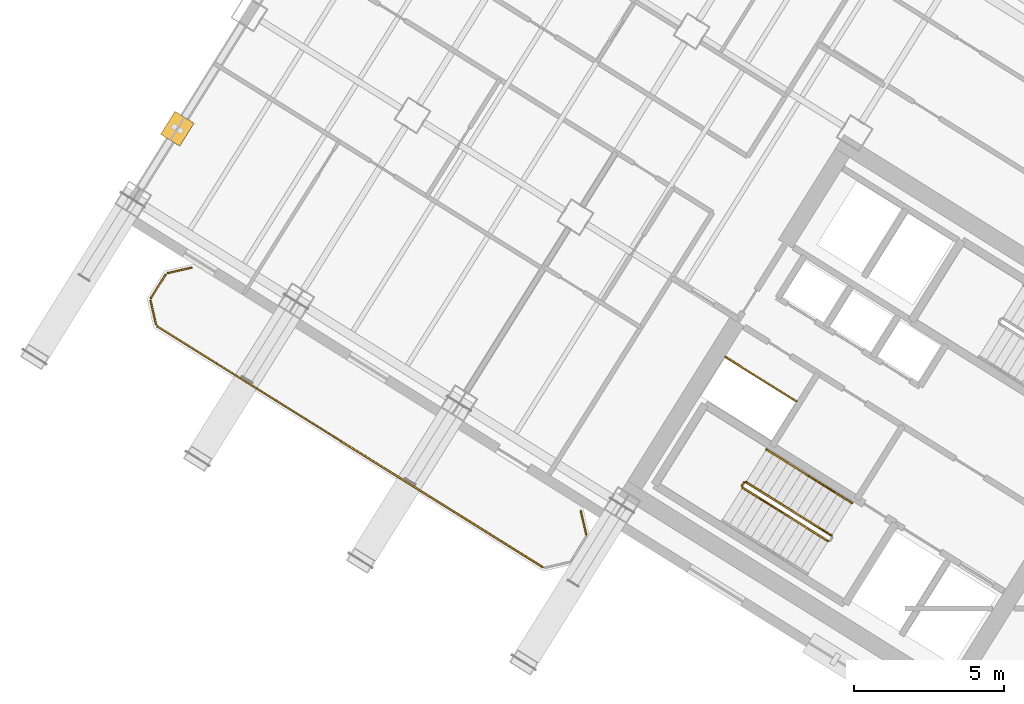
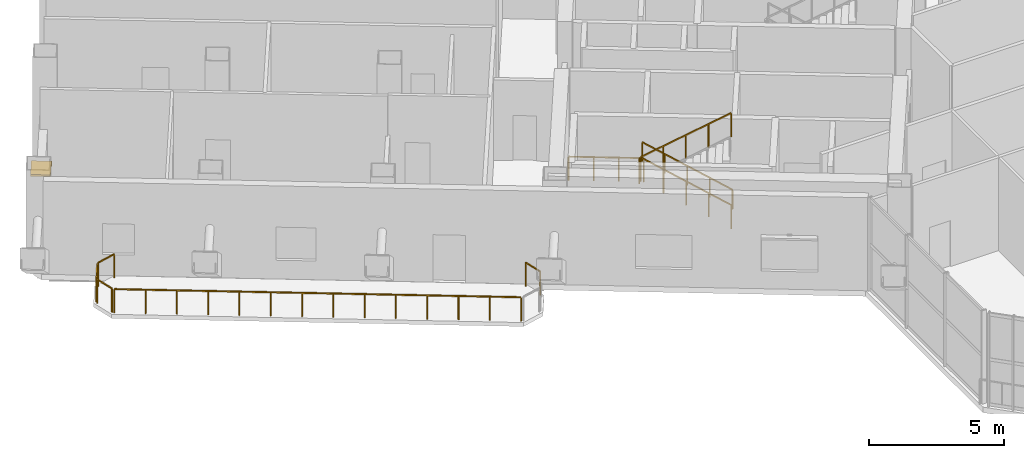
# One storey, part 28 of 32: 11 railings, 1 shading device.
"""IFC4 building model written with IfcOpenShell, lengths in metres."""

from ifc_helpers import new_model, si_unit, direction, frame, origin, origin_2d, place, context, subcontext, project, spatial, rectangle, extrude, source, transform, mapped, material, layer, layer_set, type_object, element, save


model = new_model("IFC4")

# Units and contexts
model_context = context("Model", 3, precision=1e-05, world=origin(), true_north=direction((0.0, 1.0)))
body_context = subcontext(model_context, "Body", "Model", "MODEL_VIEW")
ifc_project = project(units=[si_unit("LENGTHUNIT", "METRE"), si_unit("AREAUNIT", "SQUARE_METRE"), si_unit("VOLUMEUNIT", "CUBIC_METRE"), si_unit("PLANEANGLEUNIT", "RADIAN"), si_unit("MASSUNIT", "GRAM", prefix="KILO")], contexts=[model_context])

# Site, building, storey
site_placement = place(None, origin())
site = spatial("IfcSite", under=ifc_project, at=site_placement, CompositionType="ELEMENT")
building_placement = place(site_placement, origin())
building = spatial("IfcBuilding", under=site, at=building_placement, Name="Tlacorven Tower", CompositionType="ELEMENT")
storey_placement = place(building_placement, frame((0.0, 0.0, 123.300048828125)))
storey = spatial("IfcBuildingStorey", under=building, at=storey_placement, Name="L31", CompositionType="ELEMENT", Elevation=123.300048828125)

# Railings
ifc_material_1 = material(Name="Aluminium and painted steel balustrade", Category="steel")
railing_type_1 = type_object("IfcRailingType", Name="RL-GRD-1100", PredefinedType="GUARDRAIL", material=ifc_material_1)
shared_shape_1 = source(origin(), body_context, "Body", "SweptSolid", [
    extrude(rectangle(XDim=0.048095703125, YDim=0.048095703125, at=origin_2d()), frame((0.0, 0.0, 1.076171875), z_axis=(-0.848091358275, 0.529850024081, 0.0), x_axis=(-0.529850024081, -0.848091358275, 0.0)), (0.0, 0.0, 1.0), 2.800048828125),
    extrude(rectangle(XDim=0.0419921875, YDim=0.0419921875, at=origin_2d()), origin(), (0.0, 0.0, 1.0), 1.052001953125),
    extrude(rectangle(XDim=0.0419921875, YDim=0.0419921875, at=origin_2d()), frame((-0.79150390625, 0.49462890625, 0.0)), (0.0, 0.0, 1.0), 1.052001953125),
    extrude(rectangle(XDim=0.0419921875, YDim=0.0419921875, at=origin_2d()), frame((-1.583251953125, 0.989013671875, 0.0)), (0.0, 0.0, 1.0), 1.052001953125),
    extrude(rectangle(XDim=0.0419921875, YDim=0.0419921875, at=origin_2d()), frame((-2.374755859375, 1.483642578125, 0.0)), (0.0, 0.0, 1.0), 1.052001953125),
])
railing_1_placement = place(storey_placement, frame((27.9912109375, 22.32080078125, 0.0)))
element("IfcRailing", 1, at=railing_1_placement, inside=storey, type_object=railing_type_1, Name="L31 Electrical Riser W Shaft Guard 1", PredefinedType="GUARDRAIL", context=body_context, shape_type="MappedRepresentation", body=[
    mapped(shared_shape_1, transform((0.0, 0.0, 0.0), scale=1.0)),
])
railing_type_2 = type_object("IfcRailingType", Name="RL-BAL-1100", PredefinedType="BALUSTRADE", material=ifc_material_1)
shared_shape_2 = source(origin(), body_context, "Body", "SweptSolid", [
    extrude(rectangle(XDim=0.048095703125, YDim=0.048095703125, at=origin_2d()), frame((0.0, 0.0, 1.076171875), z_axis=(0.225058334816, -0.974345290916, 0.0), x_axis=(0.974345290916, 0.225058334816, 0.0)), (0.0, 0.0, 1.0), 0.80712890625),
    extrude(rectangle(XDim=0.0419921875, YDim=0.0419921875, at=origin_2d()), origin(), (0.0, 0.0, 1.0), 1.052001953125),
    extrude(rectangle(XDim=0.0419921875, YDim=0.0419921875, at=origin_2d()), frame((0.181640625, -0.786376953125, 0.0)), (0.0, 0.0, 1.0), 1.052001953125),
])
railing_2_placement = place(storey_placement, frame((20.809814453125, 18.671142578125, 0.0)))
element("IfcRailing", 2, at=railing_2_placement, inside=storey, type_object=railing_type_2, Name="BAL-L31-W-OUT Guard Railing 1", PredefinedType="BALUSTRADE", context=body_context, shape_type="MappedRepresentation", body=[
    mapped(shared_shape_2, transform((0.0, 0.0, 0.0), scale=1.0)),
])
shared_shape_3 = source(origin(), body_context, "Body", "SweptSolid", [
    extrude(rectangle(XDim=0.048095703125, YDim=0.048095703125, at=origin_2d()), frame((0.0, 0.0, 1.076171875), z_axis=(-0.225058334816, 0.974345290916, 0.0), x_axis=(-0.974345290916, -0.225058334816, 0.0)), (0.0, 0.0, 1.0), 0.80712890625),
    extrude(rectangle(XDim=0.0419921875, YDim=0.0419921875, at=origin_2d()), origin(), (0.0, 0.0, 1.0), 1.052001953125),
    extrude(rectangle(XDim=0.0419921875, YDim=0.0419921875, at=origin_2d()), frame((-0.181640625, 0.786376953125, 0.0)), (0.0, 0.0, 1.0), 1.052001953125),
])
railing_3_placement = place(storey_placement, frame((6.66650390625, 24.88623046875, 0.0)))
element("IfcRailing", 3, at=railing_3_placement, inside=storey, type_object=railing_type_2, Name="BAL-L31-W-OUT Guard Railing 5", PredefinedType="BALUSTRADE", context=body_context, shape_type="MappedRepresentation", body=[
    mapped(shared_shape_3, transform((0.0, 0.0, 0.0), scale=1.0)),
])
shared_shape_4 = source(origin(), body_context, "Body", "SweptSolid", [
    extrude(rectangle(XDim=0.048095703125, YDim=0.048095703125, at=origin_2d()), frame((0.0, 0.0, 1.076171875), z_axis=(0.974411586182, 0.224771129628, 0.0), x_axis=(-0.224771129628, 0.974411586182, 0.0)), (0.0, 0.0, 1.0), 0.80712890625),
    extrude(rectangle(XDim=0.0419921875, YDim=0.0419921875, at=origin_2d()), origin(), (0.0, 0.0, 1.0), 1.052001953125),
    extrude(rectangle(XDim=0.0419921875, YDim=0.0419921875, at=origin_2d()), frame((0.786376953125, 0.181396484375, 0.0)), (0.0, 0.0, 1.0), 1.052001953125),
])
railing_4_placement = place(storey_placement, frame((7.05859375, 26.591064453125, 0.0)))
element("IfcRailing", 4, at=railing_4_placement, inside=storey, type_object=railing_type_2, Name="BAL-L31-W-OUT Guard Railing 7", PredefinedType="BALUSTRADE", context=body_context, shape_type="MappedRepresentation", body=[
    mapped(shared_shape_4, transform((0.0, 0.0, 0.0), scale=1.0)),
])

# Shading device
ifc_material_2 = material(Name="Anodised bronze aluminium sunshade", Category="aluminium")
ifc_layer = layer(ifc_material_2, 0.080078125)
ifc_layer_set = layer_set([ifc_layer], Name="Anodised bronze aluminium sunshade")
shading_device_type = type_object("IfcShadingDeviceType", Name="SH-SUN-BRZ", PredefinedType="AWNING", material=ifc_layer_set)
shared_shape_5 = source(origin(), body_context, "Body", "SweptSolid", [
    extrude(rectangle(XDim=0.89990234375, YDim=0.75, at=origin_2d()), origin(), (0.0, 0.0, 1.0), 0.080078125),
])
shading_device_placement = place(storey_placement, frame((7.379150390625, 31.397705078125, 2.27001953125), z_axis=(0.0, 0.0, 1.0), x_axis=(0.529919147866, 0.848048168871, 0.0)))
element("IfcShadingDevice", 5, at=shading_device_placement, inside=storey, type_object=shading_device_type, Name="L31 Solar Brise-Soleil Sunshade L31-02.1", PredefinedType="AWNING", context=body_context, shape_type="MappedRepresentation", body=[
    mapped(shared_shape_5, transform((0.0, 0.0, 0.0), scale=1.0)),
])

# Railings
shared_shape_6 = source(origin(), body_context, "Body", "SweptSolid", [
    extrude(rectangle(XDim=0.048095703125, YDim=0.048095703125, at=origin_2d()), frame((0.0, 0.0, 1.076171875), z_axis=(0.529998940003, 0.847998304005, 0.0), x_axis=(-0.847998304005, 0.529998940003, 0.0)), (0.0, 0.0, 1.0), 0.912109375),
    extrude(rectangle(XDim=0.0419921875, YDim=0.0419921875, at=origin_2d()), origin(), (0.0, 0.0, 1.0), 1.052001953125),
    extrude(rectangle(XDim=0.0419921875, YDim=0.0419921875, at=origin_2d()), frame((0.4833984375, 0.7734375, 0.0)), (0.0, 0.0, 1.0), 1.052001953125),
])
railing_5_placement = place(storey_placement, frame((6.5, 25.763916015625, 0.0)))
element("IfcRailing", 6, at=railing_5_placement, inside=storey, type_object=railing_type_2, Name="BAL-L31-W-OUT Guard Railing 6", PredefinedType="BALUSTRADE", context=body_context, shape_type="MappedRepresentation", body=[
    mapped(shared_shape_6, transform((0.0, 0.0, 0.0), scale=1.0)),
])
shared_shape_7 = source(origin(), body_context, "Body", "SweptSolid", [
    extrude(rectangle(XDim=0.048095703125, YDim=0.048095703125, at=origin_2d()), frame((0.0, 0.0, 1.076171875), z_axis=(-0.848051830527, 0.529913287944, 0.0), x_axis=(-0.529913287944, -0.848051830527, 0.0)), (0.0, 0.0, 1.0), 15.1171875),
    extrude(rectangle(XDim=0.0419921875, YDim=0.0419921875, at=origin_2d()), origin(), (0.0, 0.0, 1.0), 1.052001953125),
    extrude(rectangle(XDim=0.0419921875, YDim=0.0419921875, at=origin_2d()), frame((-0.986083984375, 0.6162109375, 0.0)), (0.0, 0.0, 1.0), 1.052001953125),
    extrude(rectangle(XDim=0.0419921875, YDim=0.0419921875, at=origin_2d()), frame((-1.972412109375, 1.232421875, 0.0)), (0.0, 0.0, 1.0), 1.052001953125),
    extrude(rectangle(XDim=0.0419921875, YDim=0.0419921875, at=origin_2d()), frame((-2.95849609375, 1.8486328125, 0.0)), (0.0, 0.0, 1.0), 1.052001953125),
    extrude(rectangle(XDim=0.0419921875, YDim=0.0419921875, at=origin_2d()), frame((-3.944580078125, 2.46484375, 0.0)), (0.0, 0.0, 1.0), 1.052001953125),
    extrude(rectangle(XDim=0.0419921875, YDim=0.0419921875, at=origin_2d()), frame((-4.930908203125, 3.0810546875, 0.0)), (0.0, 0.0, 1.0), 1.052001953125),
    extrude(rectangle(XDim=0.0419921875, YDim=0.0419921875, at=origin_2d()), frame((-5.9169921875, 3.697265625, 0.0)), (0.0, 0.0, 1.0), 1.052001953125),
    extrude(rectangle(XDim=0.0419921875, YDim=0.0419921875, at=origin_2d()), frame((-6.903076171875, 4.3134765625, 0.0)), (0.0, 0.0, 1.0), 1.052001953125),
    extrude(rectangle(XDim=0.0419921875, YDim=0.0419921875, at=origin_2d()), frame((-7.88916015625, 4.9296875, 0.0)), (0.0, 0.0, 1.0), 1.052001953125),
    extrude(rectangle(XDim=0.0419921875, YDim=0.0419921875, at=origin_2d()), frame((-8.87548828125, 5.5458984375, 0.0)), (0.0, 0.0, 1.0), 1.052001953125),
    extrude(rectangle(XDim=0.0419921875, YDim=0.0419921875, at=origin_2d()), frame((-9.861572265625, 6.162109375, 0.0)), (0.0, 0.0, 1.0), 1.052001953125),
    extrude(rectangle(XDim=0.0419921875, YDim=0.0419921875, at=origin_2d()), frame((-10.84765625, 6.7783203125, 0.0)), (0.0, 0.0, 1.0), 1.052001953125),
    extrude(rectangle(XDim=0.0419921875, YDim=0.0419921875, at=origin_2d()), frame((-11.833984375, 7.39453125, 0.0)), (0.0, 0.0, 1.0), 1.052001953125),
    extrude(rectangle(XDim=0.0419921875, YDim=0.0419921875, at=origin_2d()), frame((-12.820068359375, 8.0107421875, 0.0)), (0.0, 0.0, 1.0), 1.052001953125),
])
railing_6_placement = place(storey_placement, frame((19.5400390625, 16.80029296875, 0.0)))
element("IfcRailing", 7, at=railing_6_placement, inside=storey, type_object=railing_type_2, Name="BAL-L31-W-OUT Guard Railing 4", PredefinedType="BALUSTRADE", context=body_context, shape_type="MappedRepresentation", body=[
    mapped(shared_shape_7, transform((0.0, 0.0, 0.0), scale=1.0)),
])
shared_shape_8 = source(origin(), body_context, "Body", "SweptSolid", [
    extrude(rectangle(XDim=0.048095703125, YDim=0.048095703125, at=origin_2d()), frame((0.0, 0.0, 1.076171875), z_axis=(-0.530546985787, -0.847655529016, 0.0), x_axis=(0.847655529016, -0.530546985787, 0.0)), (0.0, 0.0, 1.0), 0.1201171875),
    extrude(rectangle(XDim=0.0419921875, YDim=0.0419921875, at=origin_2d()), origin(), (0.0, 0.0, 1.0), 1.052001953125),
    extrude(rectangle(XDim=0.0419921875, YDim=0.0419921875, at=origin_2d()), frame((-0.063720703125, -0.101806640625, 0.0)), (0.0, 0.0, 1.0), 1.052001953125),
])
railing_7_placement = place(storey_placement, frame((26.242431640625, 19.616455078125, 2.25)))
element("IfcRailing", 8, at=railing_7_placement, inside=storey, type_object=railing_type_1, Name="L31 ST-W1 stair guard 2", PredefinedType="GUARDRAIL", context=body_context, shape_type="MappedRepresentation", body=[
    mapped(shared_shape_8, transform((0.0, 0.0, 0.0), scale=1.0)),
])
shared_shape_9 = source(origin(), body_context, "Body", "SweptSolid", [
    extrude(rectangle(XDim=0.048095703125, YDim=0.048095703125, at=origin_2d()), frame((0.0, 0.0, 1.076171875), z_axis=(-0.721354668439, 0.45076168254, 0.525795918465), x_axis=(-0.529927092104, -0.84804320471, 0.0)), (0.0, 0.0, 1.0), 3.949951171875),
    extrude(rectangle(XDim=0.0419921875, YDim=0.0419921875, at=origin_2d()), origin(), (0.0, 0.0, 1.0), 1.052001953125),
    extrude(rectangle(XDim=0.0419921875, YDim=0.0419921875, at=origin_2d()), frame((-0.71240234375, 0.445068359375, 0.519287109375)), (0.0, 0.0, 1.0), 1.052001953125),
    extrude(rectangle(XDim=0.0419921875, YDim=0.0419921875, at=origin_2d()), frame((-1.4248046875, 0.89013671875, 1.03857421875)), (0.0, 0.0, 1.0), 1.052001953125),
    extrude(rectangle(XDim=0.0419921875, YDim=0.0419921875, at=origin_2d()), frame((-2.136962890625, 1.33544921875, 1.5576171875)), (0.0, 0.0, 1.0), 1.052001953125),
    extrude(rectangle(XDim=0.0419921875, YDim=0.0419921875, at=origin_2d()), frame((-2.849365234375, 1.780517578125, 2.076904296875)), (0.0, 0.0, 1.0), 1.052001953125),
])
railing_8_placement = place(storey_placement, frame((29.16064453125, 17.851806640625, 0.173095703125)))
element("IfcRailing", 9, at=railing_8_placement, inside=storey, type_object=railing_type_1, Name="L31 ST-W1 stair guard 1", PredefinedType="GUARDRAIL", context=body_context, shape_type="MappedRepresentation", body=[
    mapped(shared_shape_9, transform((0.0, 0.0, 0.0), scale=1.0)),
])
shared_shape_10 = source(origin(), body_context, "Body", "SweptSolid", [
    extrude(rectangle(XDim=0.048095703125, YDim=0.048095703125, at=origin_2d()), frame((0.0, 0.0, 1.076171875), z_axis=(0.721384312238, -0.450741585774, 0.525772476372), x_axis=(0.52989443915, 0.848063608085, 0.0)), (0.0, 0.0, 1.0), 3.9501953125),
    extrude(rectangle(XDim=0.0419921875, YDim=0.0419921875, at=origin_2d()), origin(), (0.0, 0.0, 1.0), 1.052001953125),
    extrude(rectangle(XDim=0.0419921875, YDim=0.0419921875, at=origin_2d()), frame((0.71240234375, -0.445068359375, 0.519287109375)), (0.0, 0.0, 1.0), 1.052001953125),
    extrude(rectangle(XDim=0.0419921875, YDim=0.0419921875, at=origin_2d()), frame((1.4248046875, -0.89013671875, 1.03857421875)), (0.0, 0.0, 1.0), 1.052001953125),
    extrude(rectangle(XDim=0.0419921875, YDim=0.0419921875, at=origin_2d()), frame((2.13720703125, -1.33544921875, 1.5576171875)), (0.0, 0.0, 1.0), 1.052001953125),
    extrude(rectangle(XDim=0.0419921875, YDim=0.0419921875, at=origin_2d()), frame((2.849609375, -1.780517578125, 2.076904296875)), (0.0, 0.0, 1.0), 1.052001953125),
])
railing_9_placement = place(storey_placement, frame((26.194580078125, 19.44580078125, 2.423095703125)))
element("IfcRailing", 10, at=railing_9_placement, inside=storey, type_object=railing_type_1, Name="L31 ST-W1 stair guard 3", PredefinedType="GUARDRAIL", context=body_context, shape_type="MappedRepresentation", body=[
    mapped(shared_shape_10, transform((0.0, 0.0, 0.0), scale=1.0)),
])
railing_type_3 = type_object("IfcRailingType", Name="RL-HND-0900", PredefinedType="HANDRAIL", material=ifc_material_1)
shared_shape_11 = source(origin(), body_context, "Body", "SweptSolid", [
    extrude(rectangle(XDim=0.048095703125, YDim=0.048095703125, at=origin_2d()), frame((0.0, 0.0, 0.8759765625), z_axis=(-0.721387654753, 0.450805479247, 0.525713107551), x_axis=(-0.529946692594, -0.848030956397, 0.0)), (0.0, 0.0, 1.0), 1.97509765625),
    extrude(rectangle(XDim=0.0419921875, YDim=0.0419921875, at=origin_2d()), origin(), (0.0, 0.0, 1.0), 0.851806640625),
    extrude(rectangle(XDim=0.0419921875, YDim=0.0419921875, at=origin_2d()), frame((-0.71240234375, 0.4453125, 0.51904296875)), (0.0, 0.0, 1.0), 0.851806640625),
    extrude(rectangle(XDim=0.0419921875, YDim=0.0419921875, at=origin_2d()), frame((-1.4248046875, 0.890380859375, 1.038330078125)), (0.0, 0.0, 1.0), 0.851806640625),
])
railing_10_placement = place(storey_placement, frame((29.839111328125, 18.937255859375, 0.173095703125)))
element("IfcRailing", 11, at=railing_10_placement, inside=storey, type_object=railing_type_3, Name="L31 ST-W1 stair handrail 1", PredefinedType="HANDRAIL", context=body_context, shape_type="MappedRepresentation", body=[
    mapped(shared_shape_11, transform((0.0, 0.0, 0.0), scale=1.0)),
])
shared_shape_12 = source(origin(), body_context, "Body", "SweptSolid", [
    extrude(rectangle(XDim=0.048095703125, YDim=0.048095703125, at=origin_2d()), frame((0.0, 0.0, 0.8759765625), z_axis=(-0.721380964259, 0.45067768946, 0.525831840637), x_axis=(-0.52984217967, -0.848096259066, 0.0)), (0.0, 0.0, 1.0), 1.97509765625),
    extrude(rectangle(XDim=0.0419921875, YDim=0.0419921875, at=origin_2d()), origin(), (0.0, 0.0, 1.0), 0.851806640625),
    extrude(rectangle(XDim=0.0419921875, YDim=0.0419921875, at=origin_2d()), frame((-0.71240234375, 0.445068359375, 0.519287109375)), (0.0, 0.0, 1.0), 0.851806640625),
    extrude(rectangle(XDim=0.0419921875, YDim=0.0419921875, at=origin_2d()), frame((-1.4248046875, 0.89013671875, 1.03857421875)), (0.0, 0.0, 1.0), 0.851806640625),
])
railing_11_placement = place(storey_placement, frame((28.414306640625, 19.82763671875, 1.21142578125)))
element("IfcRailing", 12, at=railing_11_placement, inside=storey, type_object=railing_type_3, Name="L31 ST-W1 stair handrail 2", PredefinedType="HANDRAIL", context=body_context, shape_type="MappedRepresentation", body=[
    mapped(shared_shape_12, transform((0.0, 0.0, 0.0), scale=1.0)),
])

save(model, "model.ifc")
